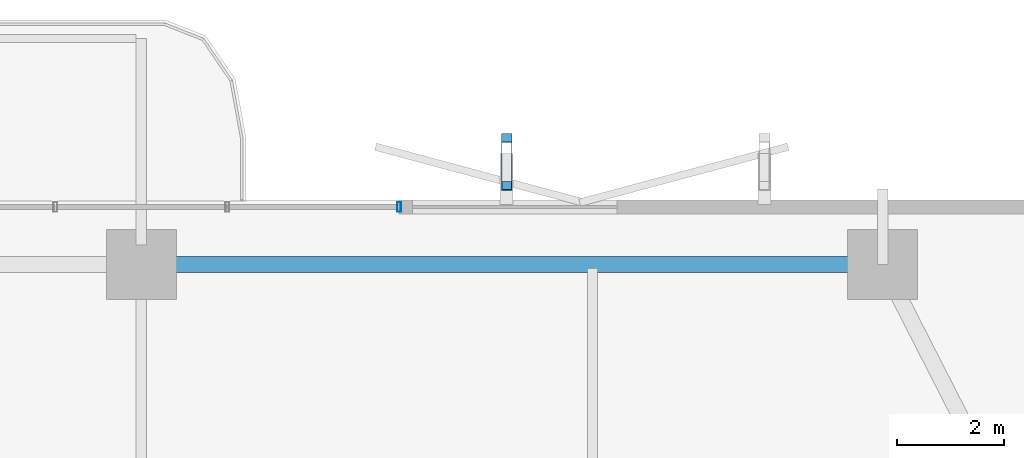
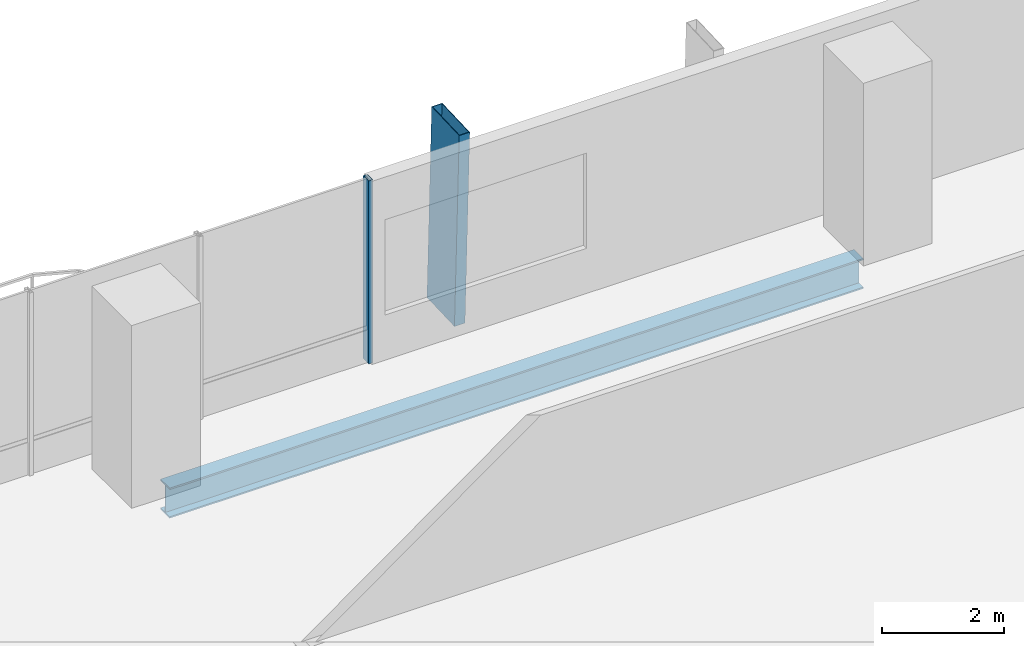
# One storey, part 15 of 24: 2 members, 1 beam, 1 element without a shape of its own.
"""IFC4 building model written with IfcOpenShell, lengths in metres."""

from ifc_helpers import new_model, si_unit, direction, frame, origin, origin_2d, place, context, subcontext, project, spatial, hollow_rectangle, i_section, extrude, material, layer, layer_set, material_profile, profile_set, type_object, element, aggregate, save


model = new_model("IFC4")

# Units and contexts
model_context = context("Model", 3, precision=1e-05, world=origin(), true_north=direction((0.0, 1.0)))
body_context = subcontext(model_context, "Body", "Model", "MODEL_VIEW")
ifc_project = project(units=[si_unit("LENGTHUNIT", "METRE"), si_unit("AREAUNIT", "SQUARE_METRE"), si_unit("VOLUMEUNIT", "CUBIC_METRE"), si_unit("PLANEANGLEUNIT", "RADIAN"), si_unit("MASSUNIT", "GRAM", prefix="KILO")], contexts=[model_context])

# Site, building, storey
site_placement = place(None, origin())
site = spatial("IfcSite", under=ifc_project, at=site_placement, CompositionType="ELEMENT")
building_placement = place(site_placement, origin())
building = spatial("IfcBuilding", under=site, at=building_placement, Name="Belovzor Exchange Tower", CompositionType="ELEMENT")
storey_placement = place(building_placement, frame((0.0, 0.0, 121.199951171875)))
storey = spatial("IfcBuildingStorey", under=building, at=storey_placement, Name="L29", CompositionType="ELEMENT", Elevation=121.199951171875)

# Member
ifc_material_1 = material(Name="Extruded Architectural Terracotta on Steel S355 Carrier", Category="masonry")
ifc_material_profile_1 = material_profile(ifc_material_1, hollow_rectangle(XDim=0.199951171875, YDim=0.89990234375, WallThickness=0.011962890625, at=origin_2d()))
ifc_profile_set_1 = profile_set([ifc_material_profile_1], Name="Extruded Architectural Terracotta on Steel S355 Carrier")
member_type_1 = type_object("IfcMemberType", Name="Sweeping Terracotta Baguette Fin Assembly 1250", PredefinedType="USERDEFINED", material=ifc_profile_set_1)
member_1_placement = place(storey_placement, frame((35.60009765625, 55.68310546875, -0.25), z_axis=(0.0, -0.039718243113, 0.999210919258), x_axis=(1.0, 0.0, 0.0)))
element("IfcMember", 1, at=member_1_placement, inside=storey, type_object=member_type_1, Name="FIN-TC125 Terracotta Facade Fin L29 N3", ObjectType="FIN", PredefinedType="USERDEFINED", context=body_context, shape_type="SweptSolid", body=[
    extrude(hollow_rectangle(XDim=0.199951171875, YDim=0.89990234375, WallThickness=0.011962890625, at=origin_2d()), origin(), (0.0, 0.0, 1.0), 3.9033203125),
])

# Curtain wall, member
ifc_material_2 = material(Name="Anodised Aluminium Framing", Category="aluminium")
ifc_layer = layer(ifc_material_2, 0.179931640625)
ifc_layer_set = layer_set([ifc_layer], Name="Anodised Aluminium Framing")
curtain_wall_type = type_object("IfcCurtainWallType", Name="Recessed Loggia Low-Iron Triple-Glazed Curtain Wall", PredefinedType="NOTDEFINED", material=ifc_layer_set)
curtain_wall_placement = place(storey_placement, origin())
curtain_wall = element("IfcCurtainWall", 2, at=curtain_wall_placement, inside=storey, type_object=curtain_wall_type, Name="CW3 Recessed Loggia Low-Iron Triple-Glazed Curtain Wall L29", PredefinedType="NOTDEFINED")
ifc_material_3 = material(Name="Steel S355", Category="steel")
ifc_material_profile_2 = material_profile(ifc_material_3, hollow_rectangle(XDim=0.074951171875, YDim=0.179931640625, WallThickness=0.0048828125, at=origin_2d()))
ifc_profile_set_2 = profile_set([ifc_material_profile_2], Name="Steel S355")
member_type_2 = type_object("IfcMemberType", Name="Thermally Broken Curtain Wall Mullion 180x75", PredefinedType="MULLION", material=ifc_profile_set_2)
member_2_placement = place(storey_placement, frame((33.60009765625, 54.77001953125, 0.0), z_axis=(0.0, 0.0, 1.0), x_axis=(1.0, 0.0, 0.0)))
member_2 = element("IfcMember", 3, at=member_2_placement, type_object=member_type_2, Name="CW-M180 Curtain Wall Mullion 4", PredefinedType="MULLION", context=body_context, shape_type="SweptSolid", body=[
    extrude(hollow_rectangle(XDim=0.074951171875, YDim=0.179931640625, WallThickness=0.0048828125, at=origin_2d()), origin(), (0.0, 0.0, 1.0), 3.650146484375),
])
aggregate(curtain_wall, [member_2])

# Beam
ifc_material_4 = material(Name="Steel S355", Category="steel")
ifc_material_profile_3 = material_profile(ifc_material_4, i_section(OverallWidth=0.300048828125, OverallDepth=0.60009765625, WebThickness=0.015380859375, FlangeThickness=0.030029296875, at=origin_2d()))
ifc_profile_set_3 = profile_set([ifc_material_profile_3], Name="Steel S355")
beam_type = type_object("IfcBeamType", Name="Zone 2 Primary Perimeter Girder HEB 600", PredefinedType="BEAM", material=ifc_profile_set_3)
beam_placement = place(storey_placement, frame((42.241943359375, 53.699951171875, -0.550048828125), z_axis=(-1.0, 0.0, 0.0), x_axis=(0.0, -1.0, 0.0)))
element("IfcBeam", 4, at=beam_placement, inside=storey, type_object=beam_type, Name="FG-Z2 Zone 2 Primary Perimeter Girder HEB 600", PredefinedType="BEAM", context=body_context, shape_type="SweptSolid", body=[
    extrude(i_section(OverallWidth=0.300048828125, OverallDepth=0.60009765625, WebThickness=0.015380859375, FlangeThickness=0.030029296875, at=origin_2d()), origin(), (0.0, 0.0, 1.0), 13.083984375),
])

save(model, "model.ifc")
